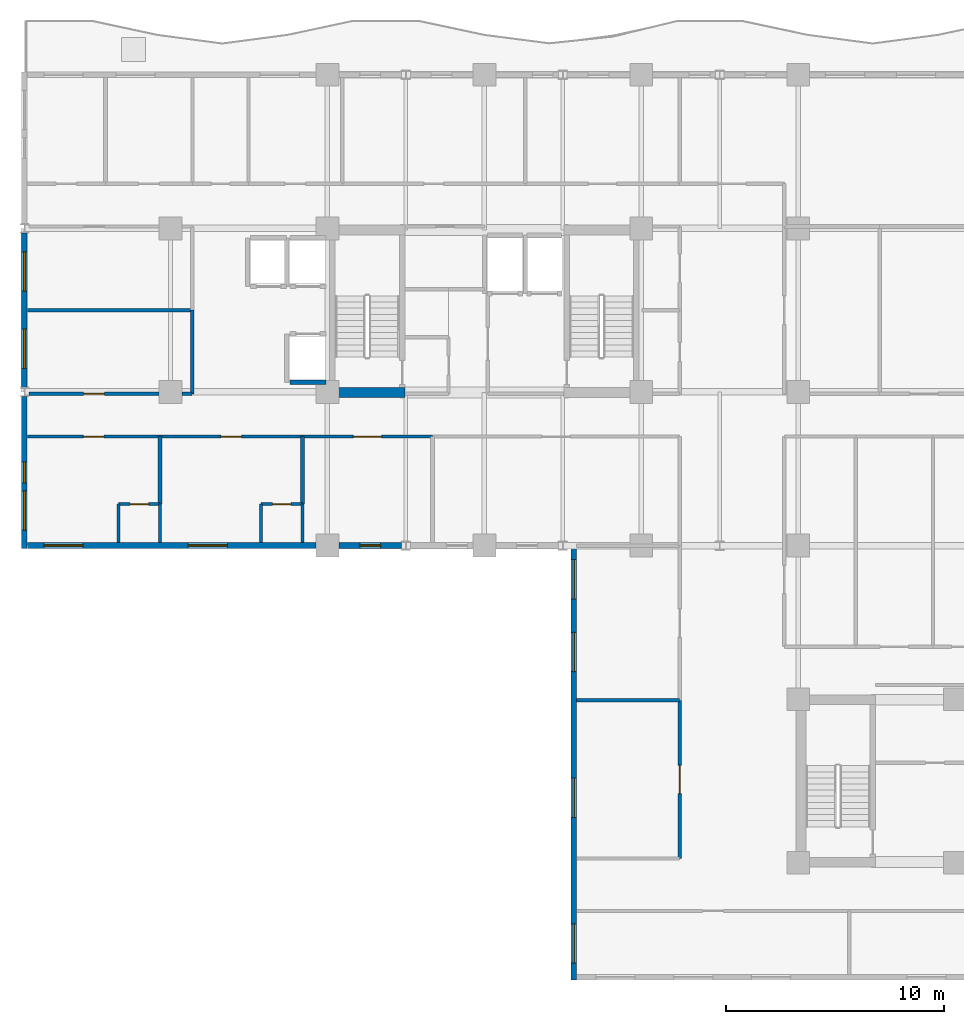
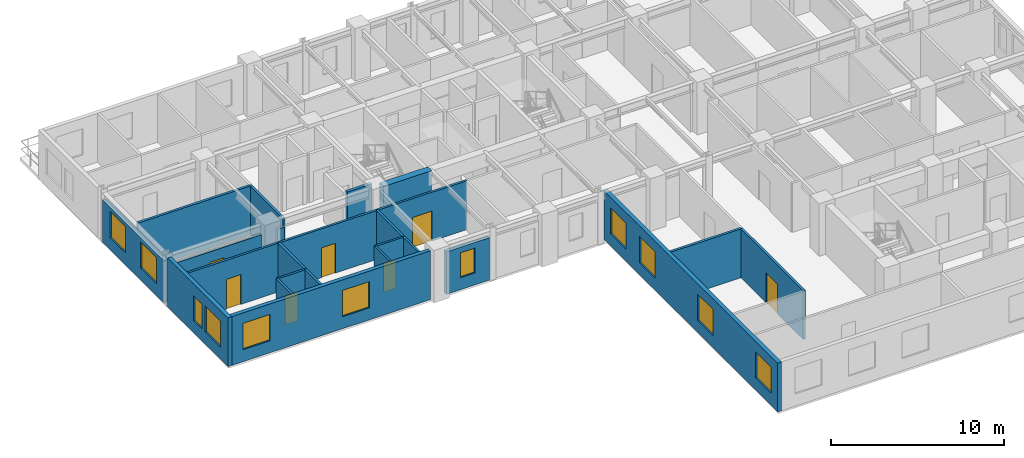
# One storey, part 4 of 12: 24 walls, 11 windows, 7 doors, 18 openings.
"""IFC4 building model written with IfcOpenShell, lengths in metres."""

from ifc_helpers import new_model, si_unit, direction, frame, frame_2d, origin, place, context, subcontext, project, spatial, rectangle, extrude, material, layer, layer_set, type_object, element, fill, save


model = new_model("IFC4")

# Units and contexts
model_context = context("Model", 3, precision=1e-05, world=origin(), true_north=direction((0.0, 1.0)))
body_context = subcontext(model_context, "Body", "Model", "MODEL_VIEW")
ifc_project = project(units=[si_unit("LENGTHUNIT", "METRE"), si_unit("AREAUNIT", "SQUARE_METRE"), si_unit("VOLUMEUNIT", "CUBIC_METRE"), si_unit("PLANEANGLEUNIT", "RADIAN"), si_unit("MASSUNIT", "GRAM", prefix="KILO")], contexts=[model_context])

# Site, building, storey
site_placement = place(None, origin())
site = spatial("IfcSite", under=ifc_project, at=site_placement, CompositionType="ELEMENT")
building_placement = place(site_placement, origin())
building = spatial("IfcBuilding", under=site, at=building_placement, Name="Kaliganga Portal Commons", CompositionType="ELEMENT")
storey_placement = place(building_placement, frame((0.0, 0.0, 147.60009765625)))
storey = spatial("IfcBuildingStorey", under=building, at=storey_placement, Name="L37", CompositionType="ELEMENT", Elevation=147.60009765625)

# Wall
ifc_material_1 = material(Name="Concrete C60/75", Category="concrete")
ifc_layer_1 = layer(ifc_material_1, 0.449951171875)
ifc_layer_set_1 = layer_set([ifc_layer_1], Name="Concrete C60/75")
wall_type_1 = type_object("IfcWallType", Name="WL-CORE-450", PredefinedType="SHEAR", material=ifc_layer_set_1)
wall_1_placement = place(storey_placement, frame((14.75, 28.625, 0.0), z_axis=(0.0, 0.0, 1.0), x_axis=(1.0, 0.0, 0.0)))
element("IfcWall", 1, at=wall_1_placement, inside=storey, type_object=wall_type_1, Name="Core A S-West Shear Wall L37", PredefinedType="SHEAR", context=body_context, shape_type="SweptSolid", body=[
    extrude(rectangle(XDim=3.199951171875, YDim=0.449951171875, at=frame_2d((1.60009765625, 0.0))), origin(), (0.0, 0.0, 1.0), 3.4599609375),
])

# Wall, openings, windows
ifc_material_2 = material(Name="Insulated Aluminium-Clad Spandrel Assembly", Category="aluminium")
ifc_layer_2 = layer(ifc_material_2, 0.260009765625)
ifc_layer_set_2 = layer_set([ifc_layer_2], Name="Insulated Aluminium-Clad Spandrel Assembly")
wall_type_2 = type_object("IfcWallType", Name="WL-EXT-SPAND-260", PredefinedType="STANDARD", material=ifc_layer_set_2)
wall_2_placement = place(storey_placement, frame((0.5, 28.85791015625, 0.0), z_axis=(0.0, 0.0, 1.0), x_axis=(0.0, 1.0, 0.0)))
wall_2 = element("IfcWall", 2, at=wall_2_placement, inside=storey, type_object=wall_type_2, Name="Exterior Envelope Wall L37 P1-E03-S2", PredefinedType="STANDARD", context=body_context, shape_type="SweptSolid", body=[
    extrude(rectangle(XDim=7.083984375, YDim=0.260009765625, at=frame_2d((3.5419921875, 0.0))), origin(), (0.0, 0.0, 1.0), 2.989990234375),
])
opening_1_placement = place(wall_2_placement, frame((0.87109375, 0.0, 0.85009765625)))
opening_1 = element("IfcOpeningElement", 3, at=opening_1_placement, cuts=wall_2, Name="Opening W-01", PredefinedType="OPENING", context=body_context, shape_type="SweptSolid", body=[
    extrude(rectangle(XDim=1.800048828125, YDim=1.85009765625, at=frame_2d((0.89990234375, 0.925048828125))), frame((0.0, 0.14013671875, 0.0), z_axis=(0.0, -1.0, 0.0), x_axis=(1.0, 0.0, 0.0)), (0.0, 0.0, 1.0), 0.280029296875),
])
opening_2_placement = place(wall_2_placement, frame((4.4130859375, 0.0, 0.85009765625)))
opening_2 = element("IfcOpeningElement", 4, at=opening_2_placement, cuts=wall_2, Name="Opening W-01", PredefinedType="OPENING", context=body_context, shape_type="SweptSolid", body=[
    extrude(rectangle(XDim=1.800048828125, YDim=1.85009765625, at=frame_2d((0.89990234375, 0.925048828125))), frame((0.0, 0.14013671875, 0.0), z_axis=(0.0, -1.0, 0.0), x_axis=(1.0, 0.0, 0.0)), (0.0, 0.0, 1.0), 0.280029296875),
])
ifc_material_3 = material(Name="Thermally Broken Aluminium and Low-E Double Glazing", Category="aluminium")
window_type_1 = type_object("IfcWindowType", Name="WIN-STD-1800", PartitioningType="DOUBLE_PANEL_VERTICAL", PredefinedType="WINDOW", material=ifc_material_3)
window_1_placement = place(opening_1_placement, origin())
window_1 = element("IfcWindow", 5, at=window_1_placement, inside=storey, type_object=window_type_1, Name="Facade Window L37-P1E03S2-00", OverallHeight=1.85009765625, OverallWidth=1.800048828125, PartitioningType="SINGLE_PANEL", PredefinedType="WINDOW", context=body_context, shape_type="SweptSolid", body=[
    extrude(rectangle(XDim=1.800048828125, YDim=1.85009765625, at=frame_2d((0.89990234375, 0.925048828125))), frame((0.0, 0.030029296875, 0.0), z_axis=(0.0, -1.0, 0.0), x_axis=(1.0, 0.0, 0.0)), (0.0, 0.0, 1.0), 0.06005859375),
])
fill(opening_1, window_1)
window_2_placement = place(opening_2_placement, origin())
window_2 = element("IfcWindow", 6, at=window_2_placement, inside=storey, type_object=window_type_1, Name="Facade Window L37-P1E03S2-01", OverallHeight=1.85009765625, OverallWidth=1.800048828125, PartitioningType="SINGLE_PANEL", PredefinedType="WINDOW", context=body_context, shape_type="SweptSolid", body=[
    extrude(rectangle(XDim=1.800048828125, YDim=1.85009765625, at=frame_2d((0.89990234375, 0.925048828125))), frame((0.0, 0.030029296875, 0.0), z_axis=(0.0, -1.0, 0.0), x_axis=(1.0, 0.0, 0.0)), (0.0, 0.0, 1.0), 0.06005859375),
])
fill(opening_2, window_2)

wall_3_placement = place(storey_placement, frame((0.5, 21.469970703125, 0.0), z_axis=(0.0, 0.0, 1.0), x_axis=(0.0, 1.0, 0.0)))
wall_3 = element("IfcWall", 7, at=wall_3_placement, inside=storey, type_object=wall_type_2, Name="Exterior Envelope Wall L37 P1-E03-S3", PredefinedType="STANDARD", context=body_context, shape_type="SweptSolid", body=[
    extrude(rectangle(XDim=6.971923828125, YDim=0.260009765625, at=frame_2d((3.48583984375, 0.0))), origin(), (0.0, 0.0, 1.0), 3.43994140625),
])
opening_3_placement = place(wall_3_placement, frame((0.843017578125, 0.0, 0.85009765625)))
opening_3 = element("IfcOpeningElement", 8, at=opening_3_placement, cuts=wall_3, Name="Opening W-01", PredefinedType="OPENING", context=body_context, shape_type="SweptSolid", body=[
    extrude(rectangle(XDim=1.800048828125, YDim=1.85009765625, at=frame_2d((0.89990234375, 0.925048828125))), frame((0.0, 0.14013671875, 0.0), z_axis=(0.0, -1.0, 0.0), x_axis=(1.0, 0.0, 0.0)), (0.0, 0.0, 1.0), 0.280029296875),
])
opening_4_placement = place(wall_3_placement, frame((3.010986328125, 0.0, 0.85009765625)))
opening_4 = element("IfcOpeningElement", 9, at=opening_4_placement, cuts=wall_3, Name="Opening W-04", PredefinedType="OPENING", context=body_context, shape_type="SweptSolid", body=[
    extrude(rectangle(XDim=0.949951171875, YDim=1.75, at=frame_2d((0.47509765625, 0.875))), frame((0.0, 0.14013671875, 0.0), z_axis=(0.0, -1.0, 0.0), x_axis=(1.0, 0.0, 0.0)), (0.0, 0.0, 1.0), 0.280029296875),
])
window_type_2 = type_object("IfcWindowType", Name="WIN-NARROW-950", PartitioningType="SINGLE_PANEL", PredefinedType="WINDOW", material=ifc_material_3)
window_3_placement = place(opening_4_placement, origin())
window_3 = element("IfcWindow", 10, at=window_3_placement, inside=storey, type_object=window_type_2, Name="Facade Window L37-P1E03S3-N0", OverallHeight=1.75, OverallWidth=0.949951171875, PartitioningType="SINGLE_PANEL", PredefinedType="WINDOW", context=body_context, shape_type="SweptSolid", body=[
    extrude(rectangle(XDim=0.949951171875, YDim=1.75, at=frame_2d((0.47509765625, 0.875))), frame((0.0, 0.030029296875, 0.0), z_axis=(0.0, -1.0, 0.0), x_axis=(1.0, 0.0, 0.0)), (0.0, 0.0, 1.0), 0.06005859375),
])
fill(opening_4, window_3)
window_4_placement = place(opening_3_placement, origin())
window_4 = element("IfcWindow", 11, at=window_4_placement, inside=storey, type_object=window_type_1, Name="Facade Window L37-P1E03S3-00", OverallHeight=1.85009765625, OverallWidth=1.800048828125, PartitioningType="SINGLE_PANEL", PredefinedType="WINDOW", context=body_context, shape_type="SweptSolid", body=[
    extrude(rectangle(XDim=1.800048828125, YDim=1.85009765625, at=frame_2d((0.89990234375, 0.925048828125))), frame((0.0, 0.030029296875, 0.0), z_axis=(0.0, -1.0, 0.0), x_axis=(1.0, 0.0, 0.0)), (0.0, 0.0, 1.0), 0.06005859375),
])
fill(opening_3, window_4)

wall_4_placement = place(storey_placement, frame((13.8740234375, 21.60009765625, 0.0), z_axis=(0.0, 0.0, 1.0), x_axis=(-1.0, 0.0, 0.0)))
wall_4 = element("IfcWall", 12, at=wall_4_placement, inside=storey, type_object=wall_type_2, Name="Exterior Envelope Wall L37 P1-E04-S1", PredefinedType="STANDARD", context=body_context, shape_type="SweptSolid", body=[
    extrude(rectangle(XDim=13.239013671875, YDim=0.260009765625, at=frame_2d((6.61962890625, 0.0))), origin(), (0.0, 0.0, 1.0), 3.43994140625),
])
opening_5_placement = place(wall_4_placement, frame((4.064697265625, 0.0, 0.85009765625)))
opening_5 = element("IfcOpeningElement", 13, at=opening_5_placement, cuts=wall_4, Name="Opening W-01", PredefinedType="OPENING", context=body_context, shape_type="SweptSolid", body=[
    extrude(rectangle(XDim=1.800048828125, YDim=1.85009765625, at=frame_2d((0.89990234375, 0.925048828125))), frame((0.0, 0.14013671875, 0.0), z_axis=(0.0, -1.0, 0.0), x_axis=(1.0, 0.0, 0.0)), (0.0, 0.0, 1.0), 0.280029296875),
])
opening_6_placement = place(wall_4_placement, frame((10.68408203125, 0.0, 0.85009765625)))
opening_6 = element("IfcOpeningElement", 14, at=opening_6_placement, cuts=wall_4, Name="Opening W-01", PredefinedType="OPENING", context=body_context, shape_type="SweptSolid", body=[
    extrude(rectangle(XDim=1.800048828125, YDim=1.85009765625, at=frame_2d((0.89990234375, 0.925048828125))), frame((0.0, 0.14013671875, 0.0), z_axis=(0.0, -1.0, 0.0), x_axis=(1.0, 0.0, 0.0)), (0.0, 0.0, 1.0), 0.280029296875),
])
window_5_placement = place(opening_5_placement, origin())
window_5 = element("IfcWindow", 15, at=window_5_placement, inside=storey, type_object=window_type_1, Name="Facade Window L37-P1E04S1-01", OverallHeight=1.85009765625, OverallWidth=1.800048828125, PartitioningType="SINGLE_PANEL", PredefinedType="WINDOW", context=body_context, shape_type="SweptSolid", body=[
    extrude(rectangle(XDim=1.800048828125, YDim=1.85009765625, at=frame_2d((0.89990234375, 0.925048828125))), frame((0.0, 0.030029296875, 0.0), z_axis=(0.0, -1.0, 0.0), x_axis=(1.0, 0.0, 0.0)), (0.0, 0.0, 1.0), 0.06005859375),
])
fill(opening_5, window_5)
window_6_placement = place(opening_6_placement, origin())
window_6 = element("IfcWindow", 16, at=window_6_placement, inside=storey, type_object=window_type_1, Name="Facade Window L37-P1E04S1-03", OverallHeight=1.85009765625, OverallWidth=1.800048828125, PartitioningType="SINGLE_PANEL", PredefinedType="WINDOW", context=body_context, shape_type="SweptSolid", body=[
    extrude(rectangle(XDim=1.800048828125, YDim=1.85009765625, at=frame_2d((0.89990234375, 0.925048828125))), frame((0.0, 0.030029296875, 0.0), z_axis=(0.0, -1.0, 0.0), x_axis=(1.0, 0.0, 0.0)), (0.0, 0.0, 1.0), 0.06005859375),
])
fill(opening_6, window_6)

# Wall, opening, window
wall_5_placement = place(storey_placement, frame((17.797119140625, 21.60009765625, 0.0), z_axis=(0.0, 0.0, 1.0), x_axis=(-1.0, 0.0, 0.0)))
wall_5 = element("IfcWall", 17, at=wall_5_placement, inside=storey, type_object=wall_type_2, Name="Exterior Envelope Wall L37 P1-E04-S2", PredefinedType="STANDARD", context=body_context, shape_type="SweptSolid", body=[
    extrude(rectangle(XDim=2.87109375, YDim=0.260009765625, at=frame_2d((1.435546875, 0.0))), origin(), (0.0, 0.0, 1.0), 2.989990234375),
])
opening_7_placement = place(wall_5_placement, frame((0.96044921875, 0.0, 0.85009765625)))
opening_7 = element("IfcOpeningElement", 18, at=opening_7_placement, cuts=wall_5, Name="Opening W-04", PredefinedType="OPENING", context=body_context, shape_type="SweptSolid", body=[
    extrude(rectangle(XDim=0.949951171875, YDim=1.75, at=frame_2d((0.47509765625, 0.875))), frame((0.0, 0.14013671875, 0.0), z_axis=(0.0, -1.0, 0.0), x_axis=(1.0, 0.0, 0.0)), (0.0, 0.0, 1.0), 0.280029296875),
])
window_7_placement = place(opening_7_placement, origin())
window_7 = element("IfcWindow", 19, at=window_7_placement, inside=storey, type_object=window_type_2, Name="Facade Window L37-P1E04S2-00", OverallHeight=1.75, OverallWidth=0.949951171875, PartitioningType="SINGLE_PANEL", PredefinedType="WINDOW", context=body_context, shape_type="SweptSolid", body=[
    extrude(rectangle(XDim=0.949951171875, YDim=1.75, at=frame_2d((0.47509765625, 0.875))), frame((0.0, 0.030029296875, 0.0), z_axis=(0.0, -1.0, 0.0), x_axis=(1.0, 0.0, 0.0)), (0.0, 0.0, 1.0), 0.06005859375),
])
fill(opening_7, window_7)

# Wall, openings, windows
wall_6_placement = place(storey_placement, frame((25.699951171875, 1.669921875, 0.0), z_axis=(0.0, 0.0, 1.0), x_axis=(0.0, 1.0, 0.0)))
wall_6 = element("IfcWall", 20, at=wall_6_placement, inside=storey, type_object=wall_type_2, Name="Exterior Envelope Wall L37 P1-E05-S1", PredefinedType="STANDARD", context=body_context, shape_type="SweptSolid", body=[
    extrude(rectangle(XDim=20.06005859375, YDim=0.260009765625, at=frame_2d((10.030029296875, 0.0))), origin(), (0.0, 0.0, 1.0), 3.43994140625),
])
opening_8_placement = place(wall_6_placement, frame((0.771728515625, 0.0, 0.85009765625)))
opening_8 = element("IfcOpeningElement", 21, at=opening_8_placement, cuts=wall_6, Name="Opening W-01", PredefinedType="OPENING", context=body_context, shape_type="SweptSolid", body=[
    extrude(rectangle(XDim=1.800048828125, YDim=1.85009765625, at=frame_2d((0.89990234375, 0.925048828125))), frame((0.0, 0.14013671875, 0.0), z_axis=(0.0, -1.0, 0.0), x_axis=(1.0, 0.0, 0.0)), (0.0, 0.0, 1.0), 0.280029296875),
])
opening_9_placement = place(wall_6_placement, frame((7.458251953125, 0.0, 0.85009765625)))
opening_9 = element("IfcOpeningElement", 22, at=opening_9_placement, cuts=wall_6, Name="Opening W-01", PredefinedType="OPENING", context=body_context, shape_type="SweptSolid", body=[
    extrude(rectangle(XDim=1.800048828125, YDim=1.85009765625, at=frame_2d((0.89990234375, 0.925048828125))), frame((0.0, 0.14013671875, 0.0), z_axis=(0.0, -1.0, 0.0), x_axis=(1.0, 0.0, 0.0)), (0.0, 0.0, 1.0), 0.280029296875),
])
opening_10_placement = place(wall_6_placement, frame((14.14501953125, 0.0, 0.85009765625)))
opening_10 = element("IfcOpeningElement", 23, at=opening_10_placement, cuts=wall_6, Name="Opening W-01", PredefinedType="OPENING", context=body_context, shape_type="SweptSolid", body=[
    extrude(rectangle(XDim=1.800048828125, YDim=1.85009765625, at=frame_2d((0.89990234375, 0.925048828125))), frame((0.0, 0.14013671875, 0.0), z_axis=(0.0, -1.0, 0.0), x_axis=(1.0, 0.0, 0.0)), (0.0, 0.0, 1.0), 0.280029296875),
])
opening_11_placement = place(wall_6_placement, frame((17.48828125, 0.0, 0.85009765625)))
opening_11 = element("IfcOpeningElement", 24, at=opening_11_placement, cuts=wall_6, Name="Opening W-01", PredefinedType="OPENING", context=body_context, shape_type="SweptSolid", body=[
    extrude(rectangle(XDim=1.800048828125, YDim=1.85009765625, at=frame_2d((0.89990234375, 0.925048828125))), frame((0.0, 0.14013671875, 0.0), z_axis=(0.0, -1.0, 0.0), x_axis=(1.0, 0.0, 0.0)), (0.0, 0.0, 1.0), 0.280029296875),
])
window_8_placement = place(opening_8_placement, origin())
window_8 = element("IfcWindow", 25, at=window_8_placement, inside=storey, type_object=window_type_1, Name="Facade Window L37-P1E05S1-00", OverallHeight=1.85009765625, OverallWidth=1.800048828125, PartitioningType="SINGLE_PANEL", PredefinedType="WINDOW", context=body_context, shape_type="SweptSolid", body=[
    extrude(rectangle(XDim=1.800048828125, YDim=1.85009765625, at=frame_2d((0.89990234375, 0.925048828125))), frame((0.0, 0.030029296875, 0.0), z_axis=(0.0, -1.0, 0.0), x_axis=(1.0, 0.0, 0.0)), (0.0, 0.0, 1.0), 0.06005859375),
])
fill(opening_8, window_8)
window_9_placement = place(opening_9_placement, origin())
window_9 = element("IfcWindow", 26, at=window_9_placement, inside=storey, type_object=window_type_1, Name="Facade Window L37-P1E05S1-02", OverallHeight=1.85009765625, OverallWidth=1.800048828125, PartitioningType="SINGLE_PANEL", PredefinedType="WINDOW", context=body_context, shape_type="SweptSolid", body=[
    extrude(rectangle(XDim=1.800048828125, YDim=1.85009765625, at=frame_2d((0.89990234375, 0.925048828125))), frame((0.0, 0.030029296875, 0.0), z_axis=(0.0, -1.0, 0.0), x_axis=(1.0, 0.0, 0.0)), (0.0, 0.0, 1.0), 0.06005859375),
])
fill(opening_9, window_9)
window_10_placement = place(opening_10_placement, origin())
window_10 = element("IfcWindow", 27, at=window_10_placement, inside=storey, type_object=window_type_1, Name="Facade Window L37-P1E05S1-04", OverallHeight=1.85009765625, OverallWidth=1.800048828125, PartitioningType="SINGLE_PANEL", PredefinedType="WINDOW", context=body_context, shape_type="SweptSolid", body=[
    extrude(rectangle(XDim=1.800048828125, YDim=1.85009765625, at=frame_2d((0.89990234375, 0.925048828125))), frame((0.0, 0.030029296875, 0.0), z_axis=(0.0, -1.0, 0.0), x_axis=(1.0, 0.0, 0.0)), (0.0, 0.0, 1.0), 0.06005859375),
])
fill(opening_10, window_10)
window_11_placement = place(opening_11_placement, origin())
window_11 = element("IfcWindow", 28, at=window_11_placement, inside=storey, type_object=window_type_1, Name="Facade Window L37-P1E05S1-05", OverallHeight=1.85009765625, OverallWidth=1.800048828125, PartitioningType="SINGLE_PANEL", PredefinedType="WINDOW", context=body_context, shape_type="SweptSolid", body=[
    extrude(rectangle(XDim=1.800048828125, YDim=1.85009765625, at=frame_2d((0.89990234375, 0.925048828125))), frame((0.0, 0.030029296875, 0.0), z_axis=(0.0, -1.0, 0.0), x_axis=(1.0, 0.0, 0.0)), (0.0, 0.0, 1.0), 0.06005859375),
])
fill(opening_11, window_11)

# Wall, opening, door
ifc_material_4 = material(Name="Fire-Rated Gypsum Board on Steel Stud", Category="steel")
ifc_layer_3 = layer(ifc_material_4, 0.14990234375)
ifc_layer_set_3 = layer_set([ifc_layer_3], Name="Fire-Rated Gypsum Board on Steel Stud")
wall_type_3 = type_object("IfcWallType", Name="WL-PART-CORR-150", PredefinedType="PARTITIONING", material=ifc_layer_set_3)
wall_7_placement = place(storey_placement, frame((0.701904296875, 28.56005859375, 0.0), z_axis=(0.0, 0.0, 1.0), x_axis=(1.0, 0.0, 0.0)))
wall_7 = element("IfcWall", 29, at=wall_7_placement, inside=storey, type_object=wall_type_3, Name="Interior Partition L37-012", PredefinedType="PARTITIONING", context=body_context, shape_type="SweptSolid", body=[
    extrude(rectangle(XDim=5.97314453125, YDim=0.14990234375, at=frame_2d((2.986572265625, 0.0))), origin(), (0.0, 0.0, 1.0), 2.83984375),
])
opening_12_placement = place(wall_7_placement, frame((2.511474609375, 0.0, 0.0)))
opening_12 = element("IfcOpeningElement", 30, at=opening_12_placement, cuts=wall_7, Name="Opening UD-01", PredefinedType="OPENING", context=body_context, shape_type="SweptSolid", body=[
    extrude(rectangle(XDim=0.949951171875, YDim=2.10009765625, at=frame_2d((0.47509765625, 1.050048828125))), frame((0.0, 0.0849609375, 0.0), z_axis=(0.0, -1.0, 0.0), x_axis=(1.0, 0.0, 0.0)), (0.0, 0.0, 1.0), 0.169921875),
])
ifc_material_5 = material(Name="Solid-Core Timber Acoustic Fire Door", Category="wood")
door_type_1 = type_object("IfcDoorType", Name="DR-UNIT-950", OperationType="NOTDEFINED", PredefinedType="DOOR", material=ifc_material_5)
door_1_placement = place(opening_12_placement, origin())
door_1 = element("IfcDoor", 31, at=door_1_placement, inside=storey, type_object=door_type_1, Name="Interior Door L37-AW01", OperationType="SINGLE_SWING_LEFT", OverallHeight=2.10009765625, OverallWidth=0.949951171875, PredefinedType="DOOR", context=body_context, shape_type="SweptSolid", body=[
    extrude(rectangle(XDim=0.949951171875, YDim=2.10009765625, at=frame_2d((0.47509765625, 1.050048828125))), frame((0.0, 0.02490234375, 0.0), z_axis=(0.0, -1.0, 0.0), x_axis=(1.0, 0.0, 0.0)), (0.0, 0.0, 1.0), 0.050048828125),
])
fill(opening_12, door_1)

# Wall
wall_8_placement = place(storey_placement, frame((7.72509765625, 28.56005859375, 0.0), z_axis=(0.0, 0.0, 1.0), x_axis=(1.0, 0.0, 0.0)))
element("IfcWall", 32, at=wall_8_placement, inside=storey, type_object=wall_type_3, Name="Interior Partition L37-013", PredefinedType="PARTITIONING", context=body_context, shape_type="SweptSolid", body=[
    extrude(rectangle(XDim=0.474853515625, YDim=0.14990234375, at=frame_2d((0.2373046875, 0.0))), origin(), (0.0, 0.0, 1.0), 2.83984375),
])

# Wall, opening, door
wall_9_placement = place(storey_placement, frame((30.56005859375, 7.239990234375, 0.0), z_axis=(0.0, 0.0, 1.0), x_axis=(0.0, 1.0, 0.0)))
wall_9 = element("IfcWall", 33, at=wall_9_placement, inside=storey, type_object=wall_type_3, Name="Interior Partition L37-017", PredefinedType="PARTITIONING", context=body_context, shape_type="SweptSolid", body=[
    extrude(rectangle(XDim=7.260009765625, YDim=0.14990234375, at=frame_2d((3.6298828125, 0.0))), origin(), (0.0, 0.0, 1.0), 3.43994140625),
])
opening_13_placement = place(wall_9_placement, frame((2.97998046875, 0.0, 0.0)))
opening_13 = element("IfcOpeningElement", 34, at=opening_13_placement, cuts=wall_9, Name="Opening RD-03", PredefinedType="OPENING", context=body_context, shape_type="SweptSolid", body=[
    extrude(rectangle(XDim=1.300048828125, YDim=2.1201171875, at=frame_2d((0.64990234375, 1.06005859375))), frame((0.0, 0.0849609375, 0.0), z_axis=(0.0, -1.0, 0.0), x_axis=(1.0, 0.0, 0.0)), (0.0, 0.0, 1.0), 0.169921875),
])
ifc_material_6 = material(Name="Glazed Timber Seminar Vision Door", Category="wood")
door_type_2 = type_object("IfcDoorType", Name="DR-STUDY-1300", OperationType="DOUBLE_DOOR_SINGLE_SWING", PredefinedType="DOOR", material=ifc_material_6)
door_2_placement = place(opening_13_placement, origin())
door_2 = element("IfcDoor", 35, at=door_2_placement, inside=storey, type_object=door_type_2, Name="Interior Door L37-KW01", OperationType="DOUBLE_DOOR_SINGLE_SWING", OverallHeight=2.1201171875, OverallWidth=1.300048828125, PredefinedType="DOOR", context=body_context, shape_type="SweptSolid", body=[
    extrude(rectangle(XDim=1.300048828125, YDim=2.1201171875, at=frame_2d((0.64990234375, 1.06005859375))), frame((0.0, 0.02490234375, 0.0), z_axis=(0.0, -1.0, 0.0), x_axis=(1.0, 0.0, 0.0)), (0.0, 0.0, 1.0), 0.050048828125),
])
fill(opening_13, door_2)

wall_10_placement = place(storey_placement, frame((6.719970703125, 26.60009765625, 0.0), z_axis=(0.0, 0.0, 1.0), x_axis=(1.0, 0.0, 0.0)))
wall_10 = element("IfcWall", 36, at=wall_10_placement, inside=storey, type_object=wall_type_3, Name="Interior Partition L37-022", PredefinedType="PARTITIONING", context=body_context, shape_type="SweptSolid", body=[
    extrude(rectangle(XDim=6.5400390625, YDim=0.14990234375, at=frame_2d((3.27001953125, 0.0))), origin(), (0.0, 0.0, 1.0), 3.43994140625),
])
opening_14_placement = place(wall_10_placement, frame((2.794921875, 0.0, 0.0)))
opening_14 = element("IfcOpeningElement", 37, at=opening_14_placement, cuts=wall_10, Name="Opening UD-01", PredefinedType="OPENING", context=body_context, shape_type="SweptSolid", body=[
    extrude(rectangle(XDim=0.949951171875, YDim=2.10009765625, at=frame_2d((0.47509765625, 1.050048828125))), frame((0.0, 0.0849609375, 0.0), z_axis=(0.0, -1.0, 0.0), x_axis=(1.0, 0.0, 0.0)), (0.0, 0.0, 1.0), 0.169921875),
])
door_3_placement = place(opening_14_placement, origin())
door_3 = element("IfcDoor", 38, at=door_3_placement, inside=storey, type_object=door_type_1, Name="Interior Door L37-AS02", OperationType="SINGLE_SWING_RIGHT", OverallHeight=2.10009765625, OverallWidth=0.949951171875, PredefinedType="DOOR", context=body_context, shape_type="SweptSolid", body=[
    extrude(rectangle(XDim=0.949951171875, YDim=2.10009765625, at=frame_2d((0.47509765625, 1.050048828125))), frame((0.0, 0.02490234375, 0.0), z_axis=(0.0, -1.0, 0.0), x_axis=(1.0, 0.0, 0.0)), (0.0, 0.0, 1.0), 0.050048828125),
])
fill(opening_14, door_3)

wall_11_placement = place(storey_placement, frame((0.632080078125, 26.60009765625, 0.0), z_axis=(0.0, 0.0, 1.0), x_axis=(1.0, 0.0, 0.0)))
wall_11 = element("IfcWall", 39, at=wall_11_placement, inside=storey, type_object=wall_type_3, Name="Interior Partition L37-023", PredefinedType="PARTITIONING", context=body_context, shape_type="SweptSolid", body=[
    extrude(rectangle(XDim=6.087890625, YDim=0.14990234375, at=frame_2d((3.0439453125, 0.0))), origin(), (0.0, 0.0, 1.0), 3.43994140625),
])
opening_15_placement = place(wall_11_placement, frame((2.569091796875, 0.0, 0.0)))
opening_15 = element("IfcOpeningElement", 40, at=opening_15_placement, cuts=wall_11, Name="Opening UD-01", PredefinedType="OPENING", context=body_context, shape_type="SweptSolid", body=[
    extrude(rectangle(XDim=0.949951171875, YDim=2.10009765625, at=frame_2d((0.47509765625, 1.050048828125))), frame((0.0, 0.0849609375, 0.0), z_axis=(0.0, -1.0, 0.0), x_axis=(1.0, 0.0, 0.0)), (0.0, 0.0, 1.0), 0.169921875),
])
door_4_placement = place(opening_15_placement, origin())
door_4 = element("IfcDoor", 41, at=door_4_placement, inside=storey, type_object=door_type_1, Name="Interior Door L37-AS01", OperationType="SINGLE_SWING_LEFT", OverallHeight=2.10009765625, OverallWidth=0.949951171875, PredefinedType="DOOR", context=body_context, shape_type="SweptSolid", body=[
    extrude(rectangle(XDim=0.949951171875, YDim=2.10009765625, at=frame_2d((0.47509765625, 1.050048828125))), frame((0.0, 0.02490234375, 0.0), z_axis=(0.0, -1.0, 0.0), x_axis=(1.0, 0.0, 0.0)), (0.0, 0.0, 1.0), 0.050048828125),
])
fill(opening_15, door_4)

wall_12_placement = place(storey_placement, frame((13.260009765625, 26.60009765625, 0.0), z_axis=(0.0, 0.0, 1.0), x_axis=(1.0, 0.0, 0.0)))
wall_12 = element("IfcWall", 42, at=wall_12_placement, inside=storey, type_object=wall_type_3, Name="Interior Partition L37-024", PredefinedType="PARTITIONING", context=body_context, shape_type="SweptSolid", body=[
    extrude(rectangle(XDim=5.9599609375, YDim=0.14990234375, at=frame_2d((2.97998046875, 0.0))), origin(), (0.0, 0.0, 1.0), 3.43994140625),
])
opening_16_placement = place(wall_12_placement, frame((2.330078125, 0.0, 0.0)))
opening_16 = element("IfcOpeningElement", 43, at=opening_16_placement, cuts=wall_12, Name="Opening RD-03", PredefinedType="OPENING", context=body_context, shape_type="SweptSolid", body=[
    extrude(rectangle(XDim=1.300048828125, YDim=2.1201171875, at=frame_2d((0.64990234375, 1.06005859375))), frame((0.0, 0.0849609375, 0.0), z_axis=(0.0, -1.0, 0.0), x_axis=(1.0, 0.0, 0.0)), (0.0, 0.0, 1.0), 0.169921875),
])
door_5_placement = place(opening_16_placement, origin())
door_5 = element("IfcDoor", 44, at=door_5_placement, inside=storey, type_object=door_type_2, Name="Interior Door L37-AS03", OperationType="DOUBLE_DOOR_SINGLE_SWING", OverallHeight=2.1201171875, OverallWidth=1.300048828125, PredefinedType="DOOR", context=body_context, shape_type="SweptSolid", body=[
    extrude(rectangle(XDim=1.300048828125, YDim=2.1201171875, at=frame_2d((0.64990234375, 1.06005859375))), frame((0.0, 0.02490234375, 0.0), z_axis=(0.0, -1.0, 0.0), x_axis=(1.0, 0.0, 0.0)), (0.0, 0.0, 1.0), 0.050048828125),
])
fill(opening_16, door_5)

# Walls
wall_13_placement = place(storey_placement, frame((8.199951171875, 28.56005859375, 0.0), z_axis=(0.0, 0.0, 1.0), x_axis=(0.0, 1.0, 0.0)))
element("IfcWall", 45, at=wall_13_placement, inside=storey, type_object=wall_type_3, Name="Interior Partition L37-040", PredefinedType="PARTITIONING", context=body_context, shape_type="SweptSolid", body=[
    extrude(rectangle(XDim=3.83984375, YDim=0.14990234375, at=frame_2d((1.919921875, 0.0))), origin(), (0.0, 0.0, 1.0), 3.43994140625),
])
ifc_material_7 = material(Name="Twin-Stud Acoustic Gypsum Partition", Category="gypsum")
ifc_layer_4 = layer(ifc_material_7, 0.1650390625)
ifc_layer_set_4 = layer_set([ifc_layer_4], Name="Twin-Stud Acoustic Gypsum Partition")
wall_type_4 = type_object("IfcWallType", Name="WL-PART-UNIT-165", PredefinedType="PARTITIONING", material=ifc_layer_set_4)
wall_14_placement = place(storey_placement, frame((0.632080078125, 32.39990234375, 0.0), z_axis=(0.0, 0.0, 1.0), x_axis=(1.0, 0.0, 0.0)))
element("IfcWall", 46, at=wall_14_placement, inside=storey, type_object=wall_type_4, Name="Interior Partition L37-065", PredefinedType="PARTITIONING", context=body_context, shape_type="SweptSolid", body=[
    extrude(rectangle(XDim=7.56787109375, YDim=0.1650390625, at=frame_2d((3.783935546875, 0.0))), origin(), (0.0, 0.0, 1.0), 3.43994140625),
])
wall_15_placement = place(storey_placement, frame((25.83203125, 14.5, 0.0), z_axis=(0.0, 0.0, 1.0), x_axis=(1.0, 0.0, 0.0)))
element("IfcWall", 47, at=wall_15_placement, inside=storey, type_object=wall_type_4, Name="Interior Partition L37-077", PredefinedType="PARTITIONING", context=body_context, shape_type="SweptSolid", body=[
    extrude(rectangle(XDim=4.72802734375, YDim=0.1650390625, at=frame_2d((2.364013671875, 0.0))), origin(), (0.0, 0.0, 1.0), 3.43994140625),
])
for number, where, z_axis, x_axis, name in (
    (48, (6.719970703125, 23.5, 0.0), (0.0, 0.0, 1.0), (0.0, 1.0, 0.0), "Interior Partition L37-084"),
    (49, (13.260009765625, 23.5, 0.0), (0.0, 0.0, 1.0), (0.0, 1.0, 0.0), "Interior Partition L37-085"),
):
    element("IfcWall", number, at=place(storey_placement, frame(where, z_axis=z_axis, x_axis=x_axis)), inside=storey, type_object=wall_type_4, Name=name, PredefinedType="PARTITIONING", context=body_context, shape_type="SweptSolid", body=[
        extrude(rectangle(XDim=3.10009765625, YDim=0.1650390625, at=frame_2d((1.550048828125, 0.0))), origin(), (0.0, 0.0, 1.0), 3.43994140625),
    ])

# Wall, opening, door
ifc_material_8 = material(Name="Cement-Board Wet-Room Partition", Category="gypsum")
ifc_layer_5 = layer(ifc_material_8, 0.135009765625)
ifc_layer_set_5 = layer_set([ifc_layer_5], Name="Cement-Board Wet-Room Partition")
wall_type_5 = type_object("IfcWallType", Name="WL-PART-WET-135", PredefinedType="PARTITIONING", material=ifc_layer_set_5)
wall_16_placement = place(storey_placement, frame((11.360107421875, 23.5, 0.0), z_axis=(0.0, 0.0, 1.0), x_axis=(1.0, 0.0, 0.0)))
wall_16 = element("IfcWall", 50, at=wall_16_placement, inside=storey, type_object=wall_type_5, Name="Interior Partition L37-001", PredefinedType="PARTITIONING", context=body_context, shape_type="SweptSolid", body=[
    extrude(rectangle(XDim=1.89990234375, YDim=0.135009765625, at=frame_2d((0.949951171875, 0.0))), origin(), (0.0, 0.0, 1.0), 3.43994140625),
])
opening_17_placement = place(wall_16_placement, frame((0.52490234375, 0.0, 0.0)))
opening_17 = element("IfcOpeningElement", 51, at=opening_17_placement, cuts=wall_16, Name="Opening WD-01", PredefinedType="OPENING", context=body_context, shape_type="SweptSolid", body=[
    extrude(rectangle(XDim=0.85009765625, YDim=2.0400390625, at=frame_2d((0.425048828125, 1.02001953125))), frame((0.0, 0.07763671875, 0.0), z_axis=(0.0, -1.0, 0.0), x_axis=(1.0, 0.0, 0.0)), (0.0, 0.0, 1.0), 0.155029296875),
])
ifc_material_9 = material(Name="Moisture-Resistant Laminate Timber Door", Category="wood")
door_type_3 = type_object("IfcDoorType", Name="DR-WET-850", OperationType="NOTDEFINED", PredefinedType="DOOR", material=ifc_material_9)
door_6_placement = place(opening_17_placement, origin())
door_6 = element("IfcDoor", 52, at=door_6_placement, inside=storey, type_object=door_type_3, Name="Interior Door L37-AS02E", OperationType="SINGLE_SWING_RIGHT", OverallHeight=2.0400390625, OverallWidth=0.85009765625, PredefinedType="DOOR", context=body_context, shape_type="SweptSolid", body=[
    extrude(rectangle(XDim=0.85009765625, YDim=2.0400390625, at=frame_2d((0.425048828125, 1.02001953125))), frame((0.0, 0.02490234375, 0.0), z_axis=(0.0, -1.0, 0.0), x_axis=(1.0, 0.0, 0.0)), (0.0, 0.0, 1.0), 0.050048828125),
])
fill(opening_17, door_6)

wall_17_placement = place(storey_placement, frame((4.820068359375, 23.5, 0.0), z_axis=(0.0, 0.0, 1.0), x_axis=(1.0, 0.0, 0.0)))
wall_17 = element("IfcWall", 53, at=wall_17_placement, inside=storey, type_object=wall_type_5, Name="Interior Partition L37-002", PredefinedType="PARTITIONING", context=body_context, shape_type="SweptSolid", body=[
    extrude(rectangle(XDim=1.89990234375, YDim=0.135009765625, at=frame_2d((0.949951171875, 0.0))), origin(), (0.0, 0.0, 1.0), 3.43994140625),
])
opening_18_placement = place(wall_17_placement, frame((0.52490234375, 0.0, 0.0)))
opening_18 = element("IfcOpeningElement", 54, at=opening_18_placement, cuts=wall_17, Name="Opening WD-01", PredefinedType="OPENING", context=body_context, shape_type="SweptSolid", body=[
    extrude(rectangle(XDim=0.85009765625, YDim=2.0400390625, at=frame_2d((0.425048828125, 1.02001953125))), frame((0.0, 0.07763671875, 0.0), z_axis=(0.0, -1.0, 0.0), x_axis=(1.0, 0.0, 0.0)), (0.0, 0.0, 1.0), 0.155029296875),
])
door_7_placement = place(opening_18_placement, origin())
door_7 = element("IfcDoor", 55, at=door_7_placement, inside=storey, type_object=door_type_3, Name="Interior Door L37-AS01E", OperationType="SINGLE_SWING_LEFT", OverallHeight=2.0400390625, OverallWidth=0.85009765625, PredefinedType="DOOR", context=body_context, shape_type="SweptSolid", body=[
    extrude(rectangle(XDim=0.85009765625, YDim=2.0400390625, at=frame_2d((0.425048828125, 1.02001953125))), frame((0.0, 0.02490234375, 0.0), z_axis=(0.0, -1.0, 0.0), x_axis=(1.0, 0.0, 0.0)), (0.0, 0.0, 1.0), 0.050048828125),
])
fill(opening_18, door_7)

# Walls
for number, where, z_axis, x_axis, name in (
    (56, (4.820068359375, 21.73193359375, 0.0), (0.0, 0.0, 1.0), (0.0, 1.0, 0.0), "Interior Partition L37-003"),
    (57, (6.719970703125, 21.73193359375, 0.0), (0.0, 0.0, 1.0), (0.0, 1.0, 0.0), "Interior Partition L37-004"),
    (58, (11.360107421875, 21.73193359375, 0.0), (0.0, 0.0, 1.0), (0.0, 1.0, 0.0), "Interior Partition L37-005"),
    (59, (13.260009765625, 21.73193359375, 0.0), (0.0, 0.0, 1.0), (0.0, 1.0, 0.0), "Interior Partition L37-006"),
):
    element("IfcWall", number, at=place(storey_placement, frame(where, z_axis=z_axis, x_axis=x_axis)), inside=storey, type_object=wall_type_5, Name=name, PredefinedType="PARTITIONING", context=body_context, shape_type="SweptSolid", body=[
        extrude(rectangle(XDim=1.76806640625, YDim=0.135009765625, at=frame_2d((0.884033203125, 0.0))), origin(), (0.0, 0.0, 1.0), 3.43994140625),
    ])
ifc_material_10 = material(Name="Fire-Rated Shaftwall Masonry Assembly", Category="masonry")
ifc_layer_6 = layer(ifc_material_10, 0.199951171875)
ifc_layer_set_6 = layer_set([ifc_layer_6], Name="Fire-Rated Shaftwall Masonry Assembly")
wall_type_6 = type_object("IfcWallType", Name="WL-SHAFT-200", PredefinedType="PARTITIONING", material=ifc_layer_set_6)
wall_18_placement = place(storey_placement, frame((12.675048828125, 29.0849609375, 0.0), z_axis=(0.0, 0.0, 1.0), x_axis=(1.0, 0.0, 0.0)))
element("IfcWall", 60, at=wall_18_placement, inside=storey, type_object=wall_type_6, Name="Lift PL-A4 Hoistway Shaft Wall L37-S", PredefinedType="PARTITIONING", context=body_context, shape_type="SweptSolid", body=[
    extrude(rectangle(XDim=1.64990234375, YDim=0.199951171875, at=frame_2d((0.824951171875, 0.0))), origin(), (0.0, 0.0, 1.0), 3.43994140625),
])

save(model, "model.ifc")
